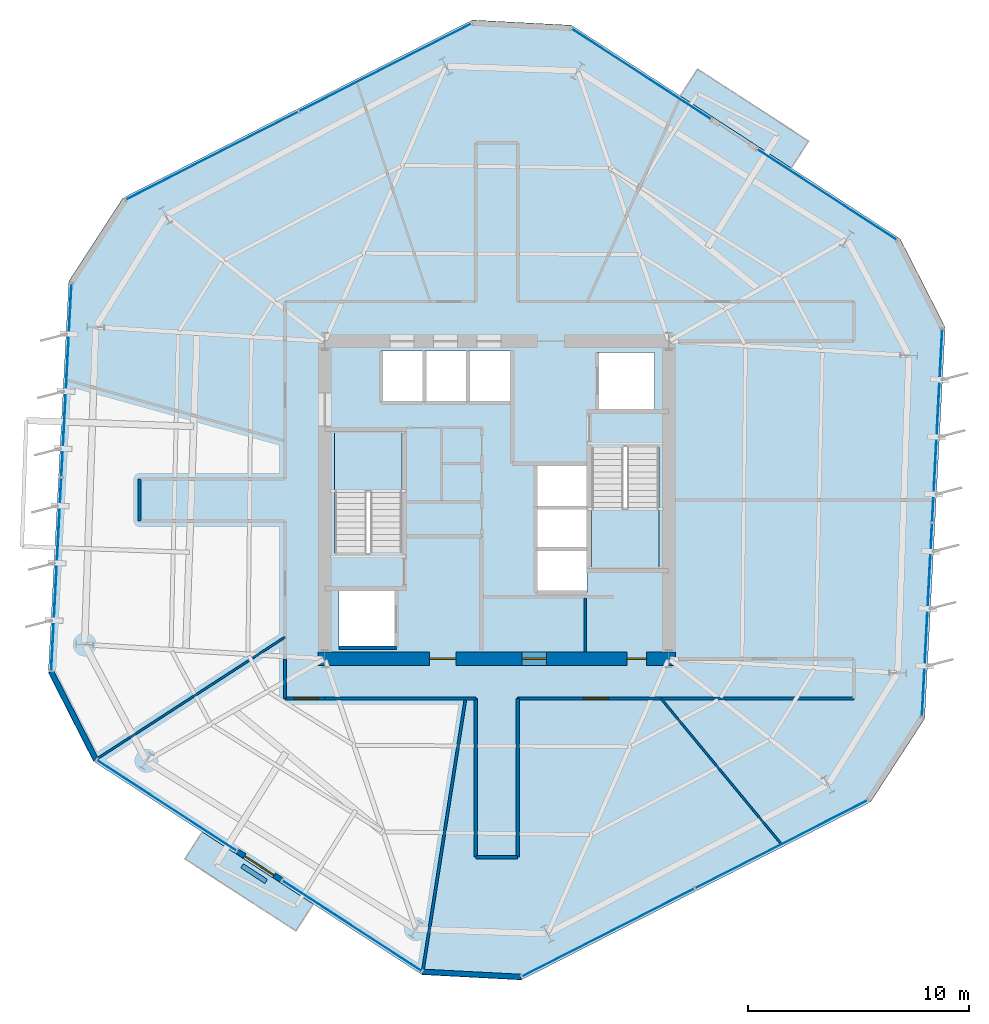
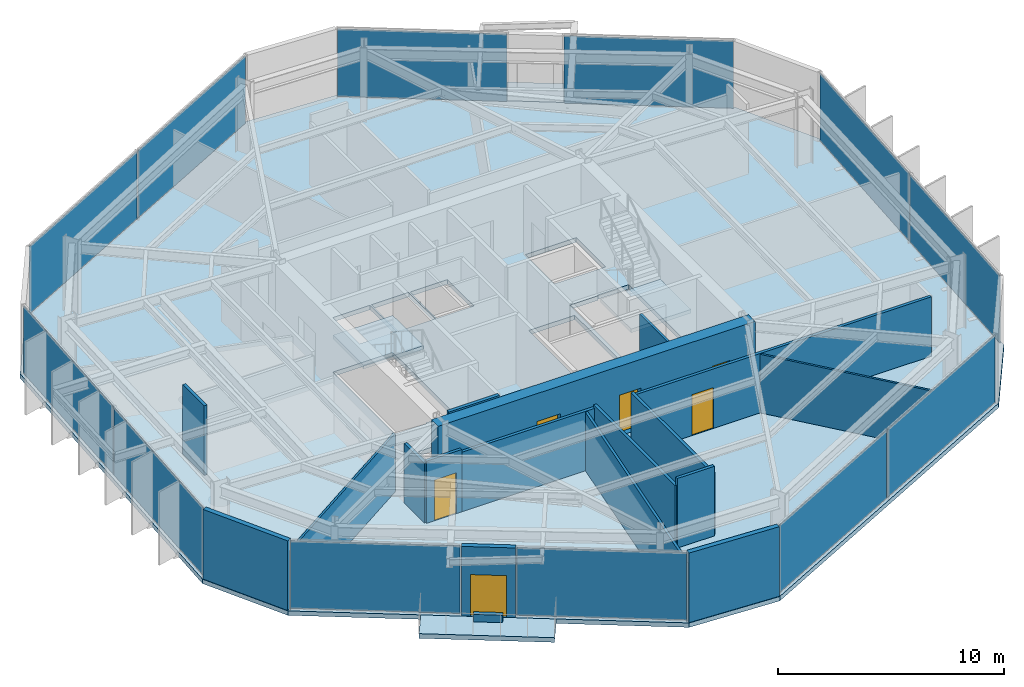
# One storey, part 6 of 10: 18 walls, 12 plates, 6 doors, 5 slabs, 6 openings, 10 elements without a shape of their own.
"""IFC4 building model written with IfcOpenShell, lengths in metres."""

from ifc_helpers import new_model, si_unit, direction, frame, frame_2d, origin, origin_2d, place, context, subcontext, project, spatial, polyline, rectangle, outline, extrude, material, layer, layer_set, type_object, element, fill, aggregate, save


model = new_model("IFC4")

# Units and contexts
model_context = context("Model", 3, precision=1e-05, world=origin(), true_north=direction((0.0, 1.0)))
body_context = subcontext(model_context, "Body", "Model", "MODEL_VIEW")
ifc_project = project(units=[si_unit("LENGTHUNIT", "METRE"), si_unit("AREAUNIT", "SQUARE_METRE"), si_unit("VOLUMEUNIT", "CUBIC_METRE"), si_unit("PLANEANGLEUNIT", "RADIAN"), si_unit("MASSUNIT", "GRAM", prefix="KILO")], contexts=[model_context])

# Site, building, storey
site_placement = place(None, origin())
site = spatial("IfcSite", under=ifc_project, at=site_placement, CompositionType="ELEMENT")
building_placement = place(site_placement, origin())
building = spatial("IfcBuilding", under=site, at=building_placement, Name="Kranzbogen Civic Tower", CompositionType="ELEMENT")
storey_placement = place(building_placement, frame((0.0, 0.0, 130.39990234375)))
storey = spatial("IfcBuildingStorey", under=building, at=storey_placement, Name="L31", CompositionType="ELEMENT", Elevation=130.39990234375)

# Slab
ifc_material_1 = material(Name="Concrete C40/50", Category="concrete")
ifc_layer_1 = layer(ifc_material_1, 0.239990234375, Name="Concrete C40/50")
ifc_layer_set_1 = layer_set([ifc_layer_1], Name="Concrete C40/50")
slab_type_1 = type_object("IfcSlabType", Name="Composite Lower Tower Floor Slab 240 mm", PredefinedType="FLOOR", material=ifc_layer_set_1)
slab_1_placement = place(storey_placement, frame((0.0, 0.0, -0.239990234375)))
element("IfcSlab", 1, at=slab_1_placement, inside=storey, type_object=slab_type_1, Name="L31 tower floor slab", PredefinedType="FLOOR", context=body_context, shape_type="SweptSolid", body=[
    extrude(outline(polyline([(43.294921875, 36.846923828125), (28.382080078125, 46.531982421875), (23.887939453125, 46.76806640625), (8.04296875, 38.695068359375), (5.593017578125, 34.919921875), (4.662109375, 17.162109375), (6.705078125, 13.153076171875), (21.617919921875, 3.468017578125), (26.112060546875, 3.23193359375), (41.95703125, 11.304931640625), (44.406982421875, 15.080078125), (45.337890625, 32.837890625), (43.294921875, 36.846923828125)]), holes=[polyline([(20.449951171875, 20.89990234375), (20.449951171875, 18.300048828125), (17.85009765625, 18.300048828125), (17.85009765625, 20.89990234375), (20.449951171875, 20.89990234375)]), polyline([(29.10009765625, 22.699951171875), (29.10009765625, 20.800048828125), (26.75, 20.800048828125), (26.75, 22.699951171875), (29.10009765625, 22.699951171875)]), polyline([(29.10009765625, 24.64990234375), (29.10009765625, 22.77490234375), (26.75, 22.77490234375), (26.75, 24.64990234375), (26.75, 24.675048828125), (26.75, 26.550048828125), (29.10009765625, 26.550048828125), (29.10009765625, 24.675048828125), (29.10009765625, 24.64990234375)]), polyline([(30.75, 27.340087890625), (30.75, 27.39990234375), (32.35009765625, 27.39990234375), (32.35009765625, 21.89990234375), (29.300048828125, 21.89990234375), (29.300048828125, 27.340087890625), (30.75, 27.340087890625)]), polyline([(19.25, 22.659912109375), (19.25, 22.60009765625), (17.64990234375, 22.60009765625), (17.64990234375, 28.10009765625), (20.699951171875, 28.10009765625), (20.699951171875, 22.659912109375), (19.25, 22.659912109375)]), polyline([(32.14990234375, 31.699951171875), (32.14990234375, 29.10009765625), (29.550048828125, 29.10009765625), (29.550048828125, 31.699951171875), (32.14990234375, 31.699951171875)]), polyline([(21.64990234375, 31.75), (21.64990234375, 29.39990234375), (19.75, 29.39990234375), (19.75, 31.75), (21.64990234375, 31.75)]), polyline([(23.625, 29.39990234375), (21.72509765625, 29.39990234375), (21.72509765625, 31.75), (23.625, 31.75), (23.625, 29.39990234375)]), polyline([(25.60009765625, 29.39990234375), (23.699951171875, 29.39990234375), (23.699951171875, 31.75), (25.60009765625, 31.75), (25.60009765625, 29.39990234375)])]), origin(), (0.0, 0.0, 1.0), 0.239990234375),
])

# Curtain wall, plate
ifc_material_2 = material(Name="Pale Anodised Aluminium", Category="aluminium")
ifc_layer_2 = layer(ifc_material_2, 0.219970703125, Name="Pale Anodised Aluminium")
ifc_layer_set_2 = layer_set([ifc_layer_2], Name="Pale Anodised Aluminium")
curtain_wall_type = type_object("IfcCurtainWallType", Name="Zone 2 Stick Curtain Wall System CW-03", PredefinedType="USERDEFINED", material=ifc_layer_set_2)
curtain_wall_1_placement = place(storey_placement, origin())
curtain_wall_1 = element("IfcCurtainWall", 2, at=curtain_wall_1_placement, inside=storey, type_object=curtain_wall_type, Name="L31 curtain wall CW-L31-F1-S1", ObjectType="STICK CURTAIN WALL", PredefinedType="USERDEFINED")
ifc_material_3 = material(Name="Low-E Triple Glazing Glass", Category="glass")
ifc_layer_3 = layer(ifc_material_3, 0.031982421875, Name="Low-E Triple Glazing Glass")
ifc_layer_set_3 = layer_set([ifc_layer_3], Name="Low-E Triple Glazing Glass")
plate_type = type_object("IfcPlateType", Name="Insulated Low-E Glazing Panel 32 mm", PredefinedType="CURTAIN_PANEL", material=ifc_layer_set_3)
plate_1_placement = place(storey_placement, frame((39.97607421875, 38.85009765625, 0.06005859375), z_axis=(0.0, 0.0, 1.0), x_axis=(-0.838641092332, 0.544684420791, 0.0)))
plate_1 = element("IfcPlate", 3, at=plate_1_placement, type_object=plate_type, Name="CW-03 panel 1.1", PredefinedType="CURTAIN_PANEL", context=body_context, shape_type="SweptSolid", body=[
    extrude(rectangle(XDim=7.513671875, YDim=0.028076171875, at=origin_2d()), origin(), (0.0, 0.0, 1.0), 3.639892578125),
])
aggregate(curtain_wall_1, [plate_1])

curtain_wall_2_placement = place(storey_placement, origin())
curtain_wall_2 = element("IfcCurtainWall", 4, at=curtain_wall_2_placement, inside=storey, type_object=curtain_wall_type, Name="L31 curtain wall CW-L31-F1-S2", ObjectType="STICK CURTAIN WALL", PredefinedType="USERDEFINED")
plate_2_placement = place(storey_placement, frame((31.56103515625, 44.31494140625, 0.06005859375), z_axis=(0.0, 0.0, 1.0), x_axis=(-0.838641092332, 0.544684420791, 0.0)))
plate_2 = element("IfcPlate", 5, at=plate_2_placement, type_object=plate_type, Name="CW-03 panel 1.1", PredefinedType="CURTAIN_PANEL", context=body_context, shape_type="SweptSolid", body=[
    extrude(rectangle(XDim=7.513671875, YDim=0.028076171875, at=origin_2d()), origin(), (0.0, 0.0, 1.0), 3.639892578125),
])
aggregate(curtain_wall_2, [plate_2])

# Curtain wall, plates
curtain_wall_3_placement = place(storey_placement, origin())
curtain_wall_3 = element("IfcCurtainWall", 6, at=curtain_wall_3_placement, inside=storey, type_object=curtain_wall_type, Name="L31 curtain wall CW-L31-F2", ObjectType="STICK CURTAIN WALL", PredefinedType="USERDEFINED")
plate_3_placement = place(storey_placement, frame((19.94580078125, 44.615966796875, 0.06005859375), z_axis=(0.0, 0.0, 1.0), x_axis=(-0.891017035872, -0.453969868809, 0.0)))
plate_3 = element("IfcPlate", 7, at=plate_3_placement, type_object=plate_type, Name="CW-03 panel 1.1", PredefinedType="CURTAIN_PANEL", context=body_context, shape_type="SweptSolid", body=[
    extrude(rectangle(XDim=8.744384765625, YDim=0.028076171875, at=origin_2d()), origin(), (0.0, 0.0, 1.0), 3.639892578125),
])
plate_4_placement = place(storey_placement, frame((12.10107421875, 40.619140625, 0.06005859375), z_axis=(0.0, 0.0, 1.0), x_axis=(-0.891017035872, -0.453969868809, 0.0)))
plate_4 = element("IfcPlate", 8, at=plate_4_placement, type_object=plate_type, Name="CW-03 panel 2.1", PredefinedType="CURTAIN_PANEL", context=body_context, shape_type="SweptSolid", body=[
    extrude(rectangle(XDim=8.744384765625, YDim=0.028076171875, at=origin_2d()), origin(), (0.0, 0.0, 1.0), 3.639892578125),
])
aggregate(curtain_wall_3, [plate_3, plate_4])

curtain_wall_4_placement = place(storey_placement, origin())
curtain_wall_4 = element("IfcCurtainWall", 9, at=curtain_wall_4_placement, inside=storey, type_object=curtain_wall_type, Name="L31 curtain wall CW-L31-F3", ObjectType="STICK CURTAIN WALL", PredefinedType="USERDEFINED")
plate_5_placement = place(storey_placement, frame((5.486083984375, 30.429931640625, 0.06005859375), z_axis=(0.0, 0.0, 1.0), x_axis=(-0.052353856933, -0.998628596458, 0.0)))
plate_5 = element("IfcPlate", 10, at=plate_5_placement, type_object=plate_type, Name="CW-03 panel 1.1", PredefinedType="CURTAIN_PANEL", context=body_context, shape_type="SweptSolid", body=[
    extrude(rectangle(XDim=8.744140625, YDim=0.028076171875, at=origin_2d()), origin(), (0.0, 0.0, 1.0), 3.639892578125),
])
plate_6_placement = place(storey_placement, frame((5.025146484375, 21.637939453125, 0.06005859375), z_axis=(0.0, 0.0, 1.0), x_axis=(-0.052353856933, -0.998628596458, 0.0)))
plate_6 = element("IfcPlate", 11, at=plate_6_placement, type_object=plate_type, Name="CW-03 panel 2.1", PredefinedType="CURTAIN_PANEL", context=body_context, shape_type="SweptSolid", body=[
    extrude(rectangle(XDim=8.744140625, YDim=0.028076171875, at=origin_2d()), origin(), (0.0, 0.0, 1.0), 3.639892578125),
])
aggregate(curtain_wall_4, [plate_5, plate_6])

# Curtain wall, plate
curtain_wall_5_placement = place(storey_placement, origin())
curtain_wall_5 = element("IfcCurtainWall", 12, at=curtain_wall_5_placement, inside=storey, type_object=curtain_wall_type, Name="L31 curtain wall CW-L31-F4-S1", ObjectType="STICK CURTAIN WALL", PredefinedType="USERDEFINED")
plate_7_placement = place(storey_placement, frame((10.02392578125, 11.14990234375, 0.06005859375), z_axis=(0.0, 0.0, 1.0), x_axis=(0.838641092332, -0.544684420791, 0.0)))
plate_7 = element("IfcPlate", 13, at=plate_7_placement, type_object=plate_type, Name="CW-03 panel 1.1", PredefinedType="CURTAIN_PANEL", context=body_context, shape_type="SweptSolid", body=[
    extrude(rectangle(XDim=7.513671875, YDim=0.028076171875, at=origin_2d()), origin(), (0.0, 0.0, 1.0), 3.639892578125),
])
aggregate(curtain_wall_5, [plate_7])

curtain_wall_6_placement = place(storey_placement, origin())
curtain_wall_6 = element("IfcCurtainWall", 14, at=curtain_wall_6_placement, inside=storey, type_object=curtain_wall_type, Name="L31 curtain wall CW-L31-F4-S2", ObjectType="STICK CURTAIN WALL", PredefinedType="USERDEFINED")
plate_8_placement = place(storey_placement, frame((18.43896484375, 5.68505859375, 0.06005859375), z_axis=(0.0, 0.0, 1.0), x_axis=(0.838641092332, -0.544684420791, 0.0)))
plate_8 = element("IfcPlate", 15, at=plate_8_placement, type_object=plate_type, Name="CW-03 panel 1.1", PredefinedType="CURTAIN_PANEL", context=body_context, shape_type="SweptSolid", body=[
    extrude(rectangle(XDim=7.513671875, YDim=0.028076171875, at=origin_2d()), origin(), (0.0, 0.0, 1.0), 3.639892578125),
])
aggregate(curtain_wall_6, [plate_8])

# Curtain wall, plates
curtain_wall_7_placement = place(storey_placement, origin())
curtain_wall_7 = element("IfcCurtainWall", 16, at=curtain_wall_7_placement, inside=storey, type_object=curtain_wall_type, Name="L31 curtain wall CW-L31-F5", ObjectType="STICK CURTAIN WALL", PredefinedType="USERDEFINED")
plate_9_placement = place(storey_placement, frame((30.05419921875, 5.384033203125, 0.06005859375), z_axis=(0.0, 0.0, 1.0), x_axis=(0.891017035872, 0.453969868809, 0.0)))
plate_9 = element("IfcPlate", 17, at=plate_9_placement, type_object=plate_type, Name="CW-03 panel 1.1", PredefinedType="CURTAIN_PANEL", context=body_context, shape_type="SweptSolid", body=[
    extrude(rectangle(XDim=8.744384765625, YDim=0.028076171875, at=origin_2d()), origin(), (0.0, 0.0, 1.0), 3.639892578125),
])
plate_10_placement = place(storey_placement, frame((37.89892578125, 9.380859375, 0.06005859375), z_axis=(0.0, 0.0, 1.0), x_axis=(0.891017035872, 0.453969868809, 0.0)))
plate_10 = element("IfcPlate", 18, at=plate_10_placement, type_object=plate_type, Name="CW-03 panel 2.1", PredefinedType="CURTAIN_PANEL", context=body_context, shape_type="SweptSolid", body=[
    extrude(rectangle(XDim=8.744384765625, YDim=0.028076171875, at=origin_2d()), origin(), (0.0, 0.0, 1.0), 3.639892578125),
])
aggregate(curtain_wall_7, [plate_9, plate_10])

curtain_wall_8_placement = place(storey_placement, origin())
curtain_wall_8 = element("IfcCurtainWall", 19, at=curtain_wall_8_placement, inside=storey, type_object=curtain_wall_type, Name="L31 curtain wall CW-L31-F6", ObjectType="STICK CURTAIN WALL", PredefinedType="USERDEFINED")
plate_11_placement = place(storey_placement, frame((44.513916015625, 19.570068359375, 0.06005859375), z_axis=(0.0, 0.0, 1.0), x_axis=(0.052353856933, 0.998628596458, 0.0)))
plate_11 = element("IfcPlate", 20, at=plate_11_placement, type_object=plate_type, Name="CW-03 panel 1.1", PredefinedType="CURTAIN_PANEL", context=body_context, shape_type="SweptSolid", body=[
    extrude(rectangle(XDim=8.744140625, YDim=0.028076171875, at=origin_2d()), origin(), (0.0, 0.0, 1.0), 3.639892578125),
])
plate_12_placement = place(storey_placement, frame((44.974853515625, 28.362060546875, 0.06005859375), z_axis=(0.0, 0.0, 1.0), x_axis=(0.052353856933, 0.998628596458, 0.0)))
plate_12 = element("IfcPlate", 21, at=plate_12_placement, type_object=plate_type, Name="CW-03 panel 2.1", PredefinedType="CURTAIN_PANEL", context=body_context, shape_type="SweptSolid", body=[
    extrude(rectangle(XDim=8.744140625, YDim=0.028076171875, at=origin_2d()), origin(), (0.0, 0.0, 1.0), 3.639892578125),
])
aggregate(curtain_wall_8, [plate_11, plate_12])

# Stair, slab
ifc_material_4 = material(Name="Precast concrete C40/50", Category="concrete")
stair_type_1 = type_object("IfcStairType", Name="Tower Core Pressurized Dogleg Stair 1450", PredefinedType="HALF_TURN_STAIR", material=ifc_material_4)
stair_1_placement = place(storey_placement, origin())
stair_1 = element("IfcStair", 22, at=stair_1_placement, inside=storey, type_object=stair_type_1, Name="L31 Tower Core Pressurized Stair 1", PredefinedType="HALF_TURN_STAIR")
ifc_layer_4 = layer(ifc_material_4, 0.199951171875, Name="Precast concrete C40/50")
ifc_layer_set_4 = layer_set([ifc_layer_4], Name="Precast concrete C40/50")
slab_type_2 = type_object("IfcSlabType", Name="Precast Concrete Stair Landing Slab 200 mm", PredefinedType="LANDING", material=ifc_layer_set_4)
slab_2_placement = place(storey_placement, frame((0.0, 0.0, 1.800048828125)))
slab_2 = element("IfcSlab", 23, at=slab_2_placement, type_object=slab_type_2, Name="ST-T1 landing 1", PredefinedType="LANDING", context=body_context, shape_type="SweptSolid", body=[
    extrude(outline(polyline([(20.699951171875, 25.39990234375), (20.699951171875, 28.10009765625), (17.64990234375, 28.10009765625), (17.64990234375, 25.39990234375), (20.699951171875, 25.39990234375)])), origin(), (0.0, 0.0, 1.0), 0.199951171875),
])
aggregate(stair_1, [slab_2])

stair_type_2 = type_object("IfcStairType", Name="Tower Core Secondary Dogleg Stair 1450", PredefinedType="HALF_TURN_STAIR", material=ifc_material_4)
stair_2_placement = place(storey_placement, origin())
stair_2 = element("IfcStair", 24, at=stair_2_placement, inside=storey, type_object=stair_type_2, Name="L31 Tower Core Pressurized Stair 2", PredefinedType="HALF_TURN_STAIR")
slab_3_placement = place(storey_placement, frame((0.0, 0.0, 1.800048828125)))
slab_3 = element("IfcSlab", 25, at=slab_3_placement, type_object=slab_type_2, Name="ST-T2 landing 1", PredefinedType="LANDING", context=body_context, shape_type="SweptSolid", body=[
    extrude(outline(polyline([(29.300048828125, 24.60009765625), (29.300048828125, 21.89990234375), (32.35009765625, 21.89990234375), (32.35009765625, 24.60009765625), (29.300048828125, 24.60009765625)])), origin(), (0.0, 0.0, 1.0), 0.199951171875),
])
aggregate(stair_2, [slab_3])

# Slabs
ifc_layer_5 = layer(ifc_material_1, 0.25, Name="Concrete C40/50")
ifc_layer_set_5 = layer_set([ifc_layer_5], Name="Concrete C40/50")
slab_type_3 = type_object("IfcSlabType", Name="Tree Balcony Cantilevered Slab 250 mm", PredefinedType="FLOOR", material=ifc_layer_set_5)
slab_4_placement = place(storey_placement, frame((0.0, 0.0, -0.25)))
element("IfcSlab", 26, at=slab_4_placement, inside=storey, type_object=slab_type_3, Name="L31 cantilevered tree balcony L31-TB1", PredefinedType="FLOOR", context=body_context, shape_type="SweptSolid", body=[
    extrude(outline(polyline([(11.64599609375, 9.944091796875), (16.677978515625, 6.677001953125), (15.887939453125, 5.4609375), (10.85595703125, 8.72802734375), (11.64599609375, 9.944091796875)])), origin(), (0.0, 0.0, 1.0), 0.25),
])
slab_5_placement = place(storey_placement, frame((0.0, 0.0, -0.25)))
element("IfcSlab", 27, at=slab_5_placement, inside=storey, type_object=slab_type_3, Name="L31 cantilevered tree balcony L31-TB2", PredefinedType="FLOOR", context=body_context, shape_type="SweptSolid", body=[
    extrude(outline(polyline([(38.35400390625, 40.055908203125), (33.322021484375, 43.322998046875), (34.112060546875, 44.5390625), (39.14404296875, 41.27197265625), (38.35400390625, 40.055908203125)])), origin(), (0.0, 0.0, 1.0), 0.25),
])

# Wall, opening, door
ifc_material_5 = material(Name="Double-Stud Acoustic Gypsum Partition")
ifc_layer_6 = layer(ifc_material_5, 0.14990234375, Name="Double-Stud Acoustic Gypsum Partition")
ifc_layer_set_6 = layer_set([ifc_layer_6], Name="Double-Stud Acoustic Gypsum Partition")
wall_type_1 = type_object("IfcWallType", Name="Acoustic Corridor and Clinical Partition 150 mm", PredefinedType="PARTITIONING", material=ifc_layer_set_6)
wall_1_placement = place(storey_placement, frame((17.199951171875, 16.0, 0.0), z_axis=(0.0, 0.0, 1.0), x_axis=(-1.0, 0.0, 0.0)))
wall_1 = element("IfcWall", 28, at=wall_1_placement, inside=storey, type_object=wall_type_1, Name="L31 corridor partition 01", PredefinedType="PARTITIONING", context=body_context, shape_type="SweptSolid", body=[
    extrude(rectangle(XDim=1.800048828125, YDim=0.14990234375, at=frame_2d((0.89990234375, 0.0))), origin(), (0.0, 0.0, 1.0), 3.360107421875),
])
opening_1_placement = place(wall_1_placement, frame((0.287109375, 0.0, 0.0)))
opening_1 = element("IfcOpeningElement", 29, at=opening_1_placement, cuts=wall_1, Name="Opening D-COR60", PredefinedType="OPENING", context=body_context, shape_type="SweptSolid", body=[
    extrude(rectangle(XDim=1.10009765625, YDim=2.199951171875, at=frame_2d((0.550048828125, 1.10009765625))), frame((0.0, 0.0849609375, 0.0), z_axis=(0.0, -1.0, 0.0), x_axis=(1.0, 0.0, 0.0)), (0.0, 0.0, 1.0), 0.169921875),
])
ifc_material_6 = material(Name="Oak Timber and Fire Core", Category="wood")
door_type_1 = type_object("IfcDoorType", Name="Corridor Acoustic Fire Door 1100x2200", OperationType="NOTDEFINED", PredefinedType="DOOR", material=ifc_material_6)
door_1_placement = place(opening_1_placement, origin())
door_1 = element("IfcDoor", 30, at=door_1_placement, inside=storey, type_object=door_type_1, Name="L31 Parliamentary Review Boardroom door", OperationType="SINGLE_SWING_LEFT", OverallHeight=2.199951171875, OverallWidth=1.10009765625, PredefinedType="DOOR", context=body_context, shape_type="SweptSolid", body=[
    extrude(rectangle(XDim=1.10009765625, YDim=2.199951171875, at=frame_2d((0.550048828125, 1.10009765625))), frame((0.0, 0.02490234375, 0.0), z_axis=(0.0, -1.0, 0.0), x_axis=(1.0, 0.0, 0.0)), (0.0, 0.0, 1.0), 0.050048828125),
])
fill(opening_1, door_1)

# Walls
wall_2_placement = place(storey_placement, frame((15.39990234375, 16.0, 0.0), z_axis=(0.0, 0.0, 1.0), x_axis=(0.0, 1.0, 0.0)))
element("IfcWall", 31, at=wall_2_placement, inside=storey, type_object=wall_type_1, Name="L31 corridor partition 02", PredefinedType="PARTITIONING", context=body_context, shape_type="SweptSolid", body=[
    extrude(rectangle(XDim=1.800048828125, YDim=0.14990234375, at=frame_2d((0.89990234375, 0.0))), origin(), (0.0, 0.0, 1.0), 3.210205078125),
])
wall_3_placement = place(storey_placement, frame((8.800048828125, 24.050048828125, 0.0), z_axis=(0.0, 0.0, 1.0), x_axis=(0.0, 1.0, 0.0)))
element("IfcWall", 32, at=wall_3_placement, inside=storey, type_object=wall_type_1, Name="L31 corridor partition 05", PredefinedType="PARTITIONING", context=body_context, shape_type="SweptSolid", body=[
    extrude(rectangle(XDim=1.89990234375, YDim=0.14990234375, at=frame_2d((0.949951171875, 0.0))), origin(), (0.0, 0.0, 1.0), 3.760009765625),
])

# Wall, opening, door
wall_4_placement = place(storey_placement, frame((41.199951171875, 16.0, 0.0), z_axis=(0.0, 0.0, 1.0), x_axis=(-1.0, 0.0, 0.0)))
wall_4 = element("IfcWall", 33, at=wall_4_placement, inside=storey, type_object=wall_type_1, Name="L31 corridor partition 19", PredefinedType="PARTITIONING", context=body_context, shape_type="SweptSolid", body=[
    extrude(rectangle(XDim=15.25, YDim=0.14990234375, at=frame_2d((7.625, 0.0))), origin(), (0.0, 0.0, 1.0), 3.210205078125),
])
opening_2_placement = place(wall_4_placement, frame((11.14501953125, 0.0, 0.0)))
opening_2 = element("IfcOpeningElement", 34, at=opening_2_placement, cuts=wall_4, Name="Opening D-COR60", PredefinedType="OPENING", context=body_context, shape_type="SweptSolid", body=[
    extrude(rectangle(XDim=1.10009765625, YDim=2.199951171875, at=frame_2d((0.550048828125, 1.10009765625))), frame((0.0, 0.0849609375, 0.0), z_axis=(0.0, -1.0, 0.0), x_axis=(1.0, 0.0, 0.0)), (0.0, 0.0, 1.0), 0.169921875),
])
door_2_placement = place(opening_2_placement, origin())
door_2 = element("IfcDoor", 35, at=door_2_placement, inside=storey, type_object=door_type_1, Name="L31 Policy Seminar Room door", OperationType="SINGLE_SWING_RIGHT", OverallHeight=2.199951171875, OverallWidth=1.10009765625, PredefinedType="DOOR", context=body_context, shape_type="SweptSolid", body=[
    extrude(rectangle(XDim=1.10009765625, YDim=2.199951171875, at=frame_2d((0.550048828125, 1.10009765625))), frame((0.0, 0.02490234375, 0.0), z_axis=(0.0, -1.0, 0.0), x_axis=(1.0, 0.0, 0.0)), (0.0, 0.0, 1.0), 0.050048828125),
])
fill(opening_2, door_2)

# Walls
wall_5_placement = place(storey_placement, frame((25.949951171875, 16.0, 0.0), z_axis=(0.0, 0.0, 1.0), x_axis=(0.0, -1.0, 0.0)))
element("IfcWall", 36, at=wall_5_placement, inside=storey, type_object=wall_type_1, Name="L31 corridor partition 20", PredefinedType="PARTITIONING", context=body_context, shape_type="SweptSolid", body=[
    extrude(rectangle(XDim=7.199951171875, YDim=0.14990234375, at=frame_2d((3.60009765625, 0.0))), origin(), (0.0, 0.0, 1.0), 3.360107421875),
])
wall_6_placement = place(storey_placement, frame((25.949951171875, 8.800048828125, 0.0), z_axis=(0.0, 0.0, 1.0), x_axis=(-1.0, 0.0, 0.0)))
element("IfcWall", 37, at=wall_6_placement, inside=storey, type_object=wall_type_1, Name="L31 corridor partition 21", PredefinedType="PARTITIONING", context=body_context, shape_type="SweptSolid", body=[
    extrude(rectangle(XDim=1.89990234375, YDim=0.14990234375, at=frame_2d((0.949951171875, 0.0))), origin(), (0.0, 0.0, 1.0), 3.760009765625),
])
wall_7_placement = place(storey_placement, frame((24.050048828125, 8.800048828125, 0.0), z_axis=(0.0, 0.0, 1.0), x_axis=(0.0, 1.0, 0.0)))
element("IfcWall", 38, at=wall_7_placement, inside=storey, type_object=wall_type_1, Name="L31 corridor partition 22", PredefinedType="PARTITIONING", context=body_context, shape_type="SweptSolid", body=[
    extrude(rectangle(XDim=7.199951171875, YDim=0.14990234375, at=frame_2d((3.60009765625, 0.0))), origin(), (0.0, 0.0, 1.0), 3.360107421875),
])
wall_8_placement = place(storey_placement, frame((24.050048828125, 16.0, 0.0), z_axis=(0.0, 0.0, 1.0), x_axis=(-1.0, 0.0, 0.0)))
element("IfcWall", 39, at=wall_8_placement, inside=storey, type_object=wall_type_1, Name="L31 corridor partition 23", PredefinedType="PARTITIONING", context=body_context, shape_type="SweptSolid", body=[
    extrude(rectangle(XDim=6.85009765625, YDim=0.14990234375, at=frame_2d((3.425048828125, 0.0))), origin(), (0.0, 0.0, 1.0), 3.210205078125),
])
ifc_material_7 = material(Name="Insulated Metal-Stud Gypsum Partition")
ifc_layer_7 = layer(ifc_material_7, 0.125, Name="Insulated Metal-Stud Gypsum Partition")
ifc_layer_set_7 = layer_set([ifc_layer_7], Name="Insulated Metal-Stud Gypsum Partition")
wall_type_2 = type_object("IfcWallType", Name="Acoustic Inter-Room Partition 125 mm", PredefinedType="PARTITIONING", material=ifc_layer_set_7)
wall_9_placement = place(storey_placement, frame((29.010009765625, 18.10009765625, 0.0), z_axis=(0.0, 0.0, 1.0), x_axis=(0.0, 1.0, 0.0)))
element("IfcWall", 40, at=wall_9_placement, inside=storey, type_object=wall_type_2, Name="L31 core auxiliary partition 1", PredefinedType="PARTITIONING", context=body_context, shape_type="SweptSolid", body=[
    extrude(rectangle(XDim=2.449951171875, YDim=0.125, at=frame_2d((1.22509765625, 0.0))), origin(), (0.0, 0.0, 1.0), 3.760009765625),
])
wall_10_placement = place(storey_placement, frame((23.5859375, 16.0, 0.0), z_axis=(0.0, 0.0, 1.0), x_axis=(-0.155099800777, -0.987898806457, 0.0)))
element("IfcWall", 41, at=wall_10_placement, inside=storey, type_object=wall_type_2, Name="L31 radial room partition 05", PredefinedType="PARTITIONING", context=body_context, shape_type="SweptSolid", body=[
    extrude(rectangle(XDim=12.526611328125, YDim=0.125, at=frame_2d((6.26318359375, 0.0))), origin(), (0.0, 0.0, 1.0), 3.16015625),
])
ifc_material_8 = material(Name="Architectural Precast Terracotta Concrete C40/50", Category="masonry")
ifc_layer_8 = layer(ifc_material_8, 0.219970703125, Name="Architectural Precast Terracotta Concrete C40/50")
ifc_layer_set_8 = layer_set([ifc_layer_8], Name="Architectural Precast Terracotta Concrete C40/50")
wall_type_3 = type_object("IfcWallType", Name="Architectural Tree Planter Kerb Wall 220 mm", PredefinedType="USERDEFINED", material=ifc_layer_set_8)
wall_11_placement = place(storey_placement, frame((13.450927734375, 8.408935546875, 0.0), z_axis=(0.0, 0.0, 1.0), x_axis=(0.838636669764, -0.544691230082, 0.0)))
element("IfcWall", 42, at=wall_11_placement, inside=storey, type_object=wall_type_3, Name="L31 landscaped tree balcony planter L31-TB1", ObjectType="PLANTER_WALL", PredefinedType="USERDEFINED", context=body_context, shape_type="SweptSolid", body=[
    extrude(rectangle(XDim=1.2998046875, YDim=0.219970703125, at=frame_2d((0.64990234375, 0.0))), origin(), (0.0, 0.0, 1.0), 0.400146484375),
])

# Wall, openings, doors
ifc_material_9 = material(Name="Concrete C55/67", Category="concrete")
ifc_layer_9 = layer(ifc_material_9, 0.60009765625, Name="Concrete C55/67")
ifc_layer_set_9 = layer_set([ifc_layer_9], Name="Concrete C55/67")
wall_type_4 = type_object("IfcWallType", Name="Central Core Shear Wall 600 mm", PredefinedType="SHEAR", material=ifc_layer_set_9)
wall_12_placement = place(storey_placement, frame((16.89990234375, 17.800048828125, 0.0), z_axis=(0.0, 0.0, 1.0), x_axis=(1.0, 0.0, 0.0)))
wall_12 = element("IfcWall", 43, at=wall_12_placement, inside=storey, type_object=wall_type_4, Name="L31 central core South shear wall", PredefinedType="SHEAR", context=body_context, shape_type="SweptSolid", body=[
    extrude(rectangle(XDim=16.2001953125, YDim=0.60009765625, at=frame_2d((8.10009765625, 0.0))), origin(), (0.0, 0.0, 1.0), 3.760009765625),
])
opening_3_placement = place(wall_12_placement, frame((5.050048828125, 0.0, 0.0)))
opening_3 = element("IfcOpeningElement", 44, at=opening_3_placement, cuts=wall_12, Name="Opening D-EX120", PredefinedType="OPENING", context=body_context, shape_type="SweptSolid", body=[
    extrude(rectangle(XDim=1.199951171875, YDim=2.25, at=frame_2d((0.60009765625, 1.125))), frame((0.0, 0.31005859375, 0.0), z_axis=(0.0, -1.0, 0.0), x_axis=(1.0, 0.0, 0.0)), (0.0, 0.0, 1.0), 0.6201171875),
])
opening_4_placement = place(wall_12_placement, frame((14.0, 0.0, 0.0)))
opening_4 = element("IfcOpeningElement", 45, at=opening_4_placement, cuts=wall_12, Name="Opening D-WC90", PredefinedType="OPENING", context=body_context, shape_type="SweptSolid", body=[
    extrude(rectangle(XDim=0.89990234375, YDim=2.10009765625, at=frame_2d((0.449951171875, 1.050048828125))), frame((0.0, 0.31005859375, 0.0), z_axis=(0.0, -1.0, 0.0), x_axis=(1.0, 0.0, 0.0)), (0.0, 0.0, 1.0), 0.6201171875),
])
opening_5_placement = place(wall_12_placement, frame((9.25, 0.0, 0.0)))
opening_5 = element("IfcOpeningElement", 46, at=opening_5_placement, cuts=wall_12, Name="Opening D-COR60", PredefinedType="OPENING", context=body_context, shape_type="SweptSolid", body=[
    extrude(rectangle(XDim=1.10009765625, YDim=2.199951171875, at=frame_2d((0.550048828125, 1.10009765625))), frame((0.0, 0.31005859375, 0.0), z_axis=(0.0, -1.0, 0.0), x_axis=(1.0, 0.0, 0.0)), (0.0, 0.0, 1.0), 0.6201171875),
])
door_3_placement = place(opening_5_placement, origin())
door_3 = element("IfcDoor", 47, at=door_3_placement, inside=storey, type_object=door_type_1, Name="L31 REC1 archive room door", OperationType="SINGLE_SWING_LEFT", OverallHeight=2.199951171875, OverallWidth=1.10009765625, PredefinedType="DOOR", context=body_context, shape_type="SweptSolid", body=[
    extrude(rectangle(XDim=1.10009765625, YDim=2.199951171875, at=frame_2d((0.550048828125, 1.10009765625))), frame((0.0, 0.02490234375, 0.0), z_axis=(0.0, -1.0, 0.0), x_axis=(1.0, 0.0, 0.0)), (0.0, 0.0, 1.0), 0.050048828125),
])
fill(opening_5, door_3)
ifc_material_10 = material(Name="Steel S355", Category="steel")
door_type_2 = type_object("IfcDoorType", Name="Exit Passageway Fire Door 1200x2250", OperationType="NOTDEFINED", PredefinedType="DOOR", material=ifc_material_10)
door_4_placement = place(opening_3_placement, origin())
door_4 = element("IfcDoor", 48, at=door_4_placement, inside=storey, type_object=door_type_2, Name="L31 West firefighting lobby corridor door", OperationType="SINGLE_SWING_RIGHT", OverallHeight=2.25, OverallWidth=1.199951171875, PredefinedType="DOOR", context=body_context, shape_type="SweptSolid", body=[
    extrude(rectangle(XDim=1.199951171875, YDim=2.25, at=frame_2d((0.60009765625, 1.125))), frame((0.0, 0.02490234375, 0.0), z_axis=(0.0, -1.0, 0.0), x_axis=(1.0, 0.0, 0.0)), (0.0, 0.0, 1.0), 0.050048828125),
])
fill(opening_3, door_4)
ifc_material_11 = material(Name="Moisture-Resistant Laminate")
door_type_3 = type_object("IfcDoorType", Name="Standard Restroom and Store Door 900x2100", OperationType="NOTDEFINED", PredefinedType="DOOR", material=ifc_material_11)
door_5_placement = place(opening_4_placement, origin())
door_5 = element("IfcDoor", 49, at=door_5_placement, inside=storey, type_object=door_type_3, Name="L31 East electrical riser access door", OperationType="SINGLE_SWING_RIGHT", OverallHeight=2.10009765625, OverallWidth=0.89990234375, PredefinedType="DOOR", context=body_context, shape_type="SweptSolid", body=[
    extrude(rectangle(XDim=0.89990234375, YDim=2.10009765625, at=frame_2d((0.449951171875, 1.050048828125))), frame((0.0, 0.02490234375, 0.0), z_axis=(0.0, -1.0, 0.0), x_axis=(1.0, 0.0, 0.0)), (0.0, 0.0, 1.0), 0.050048828125),
])
fill(opening_4, door_5)

# Walls
ifc_material_12 = material(Name="Demountable Aluminium and Gypsum Partition", Category="aluminium")
ifc_layer_10 = layer(ifc_material_12, 0.10009765625, Name="Demountable Aluminium and Gypsum Partition")
ifc_layer_set_10 = layer_set([ifc_layer_10], Name="Demountable Aluminium and Gypsum Partition")
wall_type_5 = type_object("IfcWallType", Name="Demountable Office Partition 100 mm", PredefinedType="MOVABLE", material=ifc_layer_set_10)
wall_13_placement = place(storey_placement, frame((15.39990234375, 18.782958984375, 0.0), z_axis=(0.0, 0.0, 1.0), x_axis=(-0.839399301713, -0.543515236478, 0.0)))
element("IfcWall", 50, at=wall_13_placement, inside=storey, type_object=wall_type_5, Name="L31 radial room partition 04", PredefinedType="MOVABLE", context=body_context, shape_type="SweptSolid", body=[
    extrude(rectangle(XDim=10.2001953125, YDim=0.10009765625, at=frame_2d((5.10009765625, 0.0))), origin(), (0.0, 0.0, 1.0), 3.16015625),
])
wall_14_placement = place(storey_placement, frame((32.444091796875, 16.0, 0.0), z_axis=(0.0, 0.0, 1.0), x_axis=(0.637251985901, -0.770655504402, 0.0)))
element("IfcWall", 51, at=wall_14_placement, inside=storey, type_object=wall_type_5, Name="L31 radial room partition 06", PredefinedType="MOVABLE", context=body_context, shape_type="SweptSolid", body=[
    extrude(rectangle(XDim=8.56298828125, YDim=0.10009765625, at=frame_2d((4.281494140625, 0.0))), origin(), (0.0, 0.0, 1.0), 3.16015625),
])
ifc_material_13 = material(Name="Gypsum Fireboard Shaftliner")
ifc_layer_11 = layer(ifc_material_13, 0.175048828125, Name="Gypsum Fireboard Shaftliner")
ifc_layer_set_11 = layer_set([ifc_layer_11], Name="Gypsum Fireboard Shaftliner")
wall_type_6 = type_object("IfcWallType", Name="Fire-Rated Lift and Service Shaft Wall 175 mm", PredefinedType="PARTITIONING", material=ifc_layer_set_11)
wall_15_placement = place(storey_placement, frame((17.85009765625, 18.300048828125, 0.0), z_axis=(0.0, 0.0, 1.0), x_axis=(1.0, 0.0, 0.0)))
element("IfcWall", 52, at=wall_15_placement, inside=storey, type_object=wall_type_6, Name="L31 lift FF-01 side wall", PredefinedType="PARTITIONING", context=body_context, shape_type="SweptSolid", body=[
    extrude(rectangle(XDim=2.599853515625, YDim=0.175048828125, at=frame_2d((1.2998046875, 0.0))), origin(), (0.0, 0.0, 1.0), 3.760009765625),
])
ifc_layer_12 = layer(ifc_material_2, 0.239990234375, Name="Pale Anodised Aluminium")
ifc_layer_set_12 = layer_set([ifc_layer_12], Name="Pale Anodised Aluminium")
wall_type_7 = type_object("IfcWallType", Name="Insulated Aluminium Facade Portal Wall 240 mm", PredefinedType="STANDARD", material=ifc_layer_set_12)
wall_16_placement = place(storey_placement, frame((4.79296875, 17.2119140625, 0.0), z_axis=(0.0, 0.0, 1.0), x_axis=(0.454103301767, -0.89094903969, 0.0)))
element("IfcWall", 53, at=wall_16_placement, inside=storey, type_object=wall_type_7, Name="L31 chamfered corner facade spandrel 3", PredefinedType="STANDARD", context=body_context, shape_type="SweptSolid", body=[
    extrude(rectangle(XDim=4.470458984375, YDim=0.239990234375, at=frame_2d((2.2353515625, 0.0))), origin(), (0.0, 0.0, 1.0), 3.760009765625),
])

# Wall, opening, door
wall_17_placement = place(storey_placement, frame((13.22509765625, 9.071044921875, 0.0), z_axis=(0.0, 0.0, 1.0), x_axis=(0.838687554781, -0.544612876689, 0.0)))
wall_17 = element("IfcWall", 54, at=wall_17_placement, inside=storey, type_object=wall_type_7, Name="L31 exterior entrance portal wall 1", PredefinedType="STANDARD", context=body_context, shape_type="SweptSolid", body=[
    extrude(rectangle(XDim=2.400146484375, YDim=0.239990234375, at=frame_2d((1.2001953125, 0.0))), origin(), (0.0, 0.0, 1.0), 3.760009765625),
])
opening_6_placement = place(wall_17_placement, frame((0.39990234375, 0.0, 0.0)))
opening_6 = element("IfcOpeningElement", 55, at=opening_6_placement, cuts=wall_17, Name="Opening D-TER", PredefinedType="OPENING", context=body_context, shape_type="SweptSolid", body=[
    extrude(rectangle(XDim=1.60009765625, YDim=2.25, at=frame_2d((0.800048828125, 1.125))), frame((0.0, 0.1298828125, 0.0), z_axis=(0.0, -1.0, 0.0), x_axis=(1.0, 0.0, 0.0)), (0.0, 0.0, 1.0), 0.260009765625),
])
ifc_material_14 = material(Name="Anodised Bronze and Triple Glass", Category="glass")
door_type_4 = type_object("IfcDoorType", Name="Glazed Terrace and Balcony Double Door 1600x2250", OperationType="DOUBLE_DOOR_SINGLE_SWING", PredefinedType="DOOR", material=ifc_material_14)
door_6_placement = place(opening_6_placement, frame((1.60009765625, 0.0, 0.0), z_axis=(0.0, 0.0, 1.0), x_axis=(-1.0, 0.0, 0.0)))
door_6 = element("IfcDoor", 56, at=door_6_placement, inside=storey, type_object=door_type_4, Name="L31 tree balcony access door L31-TB1", OperationType="DOUBLE_DOOR_SINGLE_SWING", OverallHeight=2.25, OverallWidth=1.60009765625, PredefinedType="DOOR", context=body_context, shape_type="SweptSolid", body=[
    extrude(rectangle(XDim=1.60009765625, YDim=2.25, at=frame_2d((0.800048828125, 1.125))), frame((0.0, 0.02490234375, 0.0), z_axis=(0.0, -1.0, 0.0), x_axis=(1.0, 0.0, 0.0)), (0.0, 0.0, 1.0), 0.050048828125),
])
fill(opening_6, door_6)

# Wall
wall_18_placement = place(storey_placement, frame((21.639892578125, 3.60595703125, 0.0), z_axis=(0.0, 0.0, 1.0), x_axis=(0.998630920983, -0.052309498732, 0.0)))
element("IfcWall", 57, at=wall_18_placement, inside=storey, type_object=wall_type_7, Name="L31 chamfered corner facade spandrel 4", PredefinedType="STANDARD", context=body_context, shape_type="SweptSolid", body=[
    extrude(rectangle(XDim=4.47119140625, YDim=0.239990234375, at=frame_2d((2.235595703125, 0.0))), origin(), (0.0, 0.0, 1.0), 3.760009765625),
])

save(model, "model.ifc")
